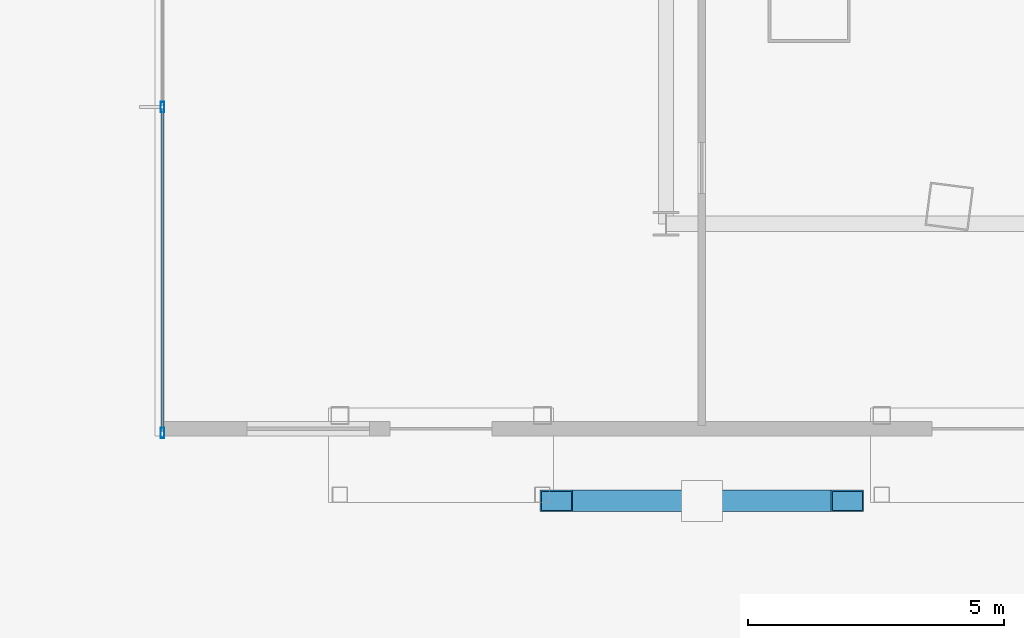
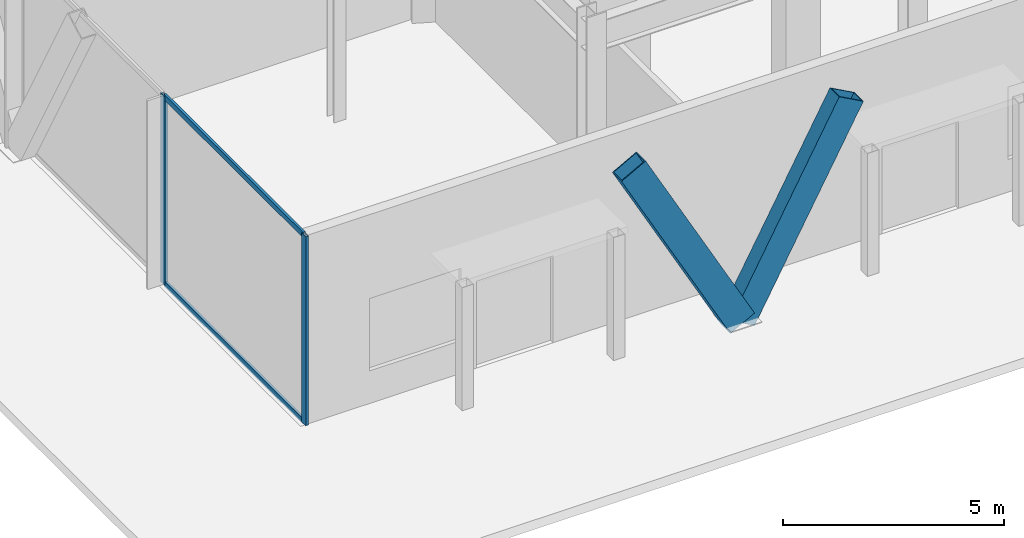
# One storey, part 5 of 38: 6 members, 1 element without a shape of its own.
"""IFC4 building model written with IfcOpenShell, lengths in metres."""

from ifc_helpers import new_model, si_unit, direction, frame, origin, origin_2d, place, context, subcontext, project, spatial, hollow_rectangle, extrude, material, layer, layer_set, material_profile, profile_set, type_object, element, aggregate, save


model = new_model("IFC4")

# Units and contexts
model_context = context("Model", 3, precision=1e-05, world=origin(), true_north=direction((0.0, 1.0)))
body_context = subcontext(model_context, "Body", "Model", "MODEL_VIEW")
ifc_project = project(units=[si_unit("LENGTHUNIT", "METRE"), si_unit("AREAUNIT", "SQUARE_METRE"), si_unit("VOLUMEUNIT", "CUBIC_METRE"), si_unit("PLANEANGLEUNIT", "RADIAN"), si_unit("MASSUNIT", "GRAM", prefix="KILO")], contexts=[model_context])

# Site, building, storey
site_placement = place(None, origin())
site = spatial("IfcSite", under=ifc_project, at=site_placement, CompositionType="ELEMENT")
building_placement = place(site_placement, origin())
building = spatial("IfcBuilding", under=site, at=building_placement, Name="Orvanel Arch Residences", CompositionType="ELEMENT")
storey_placement = place(building_placement, origin())
storey = spatial("IfcBuildingStorey", under=building, at=storey_placement, Name="L00", CompositionType="ELEMENT", Elevation=0.0)

# Members
ifc_material_1 = material(Name="Structural steel AS/NZS 3678 Grade 350", Category="steel")
ifc_material_profile_1 = material_profile(ifc_material_1, hollow_rectangle(XDim=0.419921875, YDim=0.719970703125, WallThickness=0.02490234375, at=origin_2d()), Name="RHS720x420x25")
ifc_profile_set_1 = profile_set([ifc_material_profile_1], Name="Structural steel AS/NZS 3678 Grade 350")
member_type_1 = type_object("IfcMemberType", Name="BR-720RHS-EXT", PredefinedType="BRACE", material=ifc_profile_set_1)
member_1_placement = place(storey_placement, frame((12.10009765625, 0.580078125, 0.0), z_axis=(-0.480132810148, 0.0, 0.877195807457), x_axis=(0.0, -1.0, 0.0)))
element("IfcMember", 1, at=member_1_placement, inside=storey, type_object=member_type_1, Name="L00 Podium Multi-Storey V-Strut Pair SW Leg 1", PredefinedType="BRACE", context=body_context, shape_type="SweptSolid", body=[
    extrude(hollow_rectangle(XDim=0.419921875, YDim=0.719970703125, WallThickness=0.02490234375, at=origin_2d()), origin(), (0.0, 0.0, 1.0), 5.927978515625),
])
member_2_placement = place(storey_placement, frame((12.10009765625, 0.580078125, 0.0), z_axis=(0.48010111861, 0.0, 0.877213153065), x_axis=(0.0, 1.0, 0.0)))
element("IfcMember", 2, at=member_2_placement, inside=storey, type_object=member_type_1, Name="L00 Podium Multi-Storey V-Strut Pair SW Leg 2", PredefinedType="BRACE", context=body_context, shape_type="SweptSolid", body=[
    extrude(hollow_rectangle(XDim=0.419921875, YDim=0.719970703125, WallThickness=0.02490234375, at=origin_2d()), origin(), (0.0, 0.0, 1.0), 5.927734375),
])

# Curtain wall, members
ifc_material_2 = material(Name="Bronze-anodised aluminium AA6063-T6", Category="aluminium")
ifc_layer = layer(ifc_material_2, 0.199951171875)
ifc_layer_set = layer_set([ifc_layer], Name="Bronze-anodised aluminium AA6063-T6")
curtain_wall_type = type_object("IfcCurtainWallType", Name="CW1-POD-SYS", PredefinedType="NOTDEFINED", material=ifc_layer_set)
curtain_wall_placement = place(storey_placement, origin())
curtain_wall = element("IfcCurtainWall", 3, at=curtain_wall_placement, inside=storey, type_object=curtain_wall_type, Name="L00 CW1-POD-SYS Unitised Curtain Wall", PredefinedType="NOTDEFINED")
ifc_material_profile_2 = material_profile(ifc_material_2, hollow_rectangle(XDim=0.074951171875, YDim=0.199951171875, WallThickness=0.0048828125, at=origin_2d()), Name="ALU200x75x5")
ifc_profile_set_2 = profile_set([ifc_material_profile_2], Name="Bronze-anodised aluminium AA6063-T6")
member_type_2 = type_object("IfcMemberType", Name="MUL-200x75", PredefinedType="MULLION", material=ifc_profile_set_2)
member_3_placement = place(storey_placement, frame((1.550048828125, 8.28369140625, 0.0), z_axis=(0.0, 0.0, 1.0), x_axis=(1.0, 0.0, 0.0)))
member_3 = element("IfcMember", 4, at=member_3_placement, type_object=member_type_2, Name="CW-S1 mullion 8", PredefinedType="MULLION", context=body_context, shape_type="SweptSolid", body=[
    extrude(hollow_rectangle(XDim=0.074951171875, YDim=0.199951171875, WallThickness=0.0048828125, at=origin_2d()), origin(), (0.0, 0.0, 1.0), 5.219970703125),
])
member_4_placement = place(storey_placement, frame((1.550048828125, 1.907470703125, 0.0), z_axis=(0.0, 0.0, 1.0), x_axis=(1.0, 0.0, 0.0)))
member_4 = element("IfcMember", 5, at=member_4_placement, type_object=member_type_2, Name="CW-S1 mullion 9", PredefinedType="MULLION", context=body_context, shape_type="SweptSolid", body=[
    extrude(hollow_rectangle(XDim=0.074951171875, YDim=0.199951171875, WallThickness=0.0048828125, at=origin_2d()), origin(), (0.0, 0.0, 1.0), 5.219970703125),
])
ifc_material_profile_3 = material_profile(ifc_material_2, hollow_rectangle(XDim=0.06494140625, YDim=0.14990234375, WallThickness=0.00390625, at=origin_2d()), Name="ALU150x65x4")
ifc_profile_set_3 = profile_set([ifc_material_profile_3], Name="Bronze-anodised aluminium AA6063-T6")
member_type_3 = type_object("IfcMemberType", Name="TRN-150x65", PredefinedType="USERDEFINED", material=ifc_profile_set_3)
member_5_placement = place(storey_placement, frame((1.550048828125, 8.246337890625, 0.032470703125), z_axis=(0.0, -1.0, 0.0), x_axis=(1.0, 0.0, 0.0)))
member_5 = element("IfcMember", 6, at=member_5_placement, type_object=member_type_3, Name="CW-S1 transom 8.1", ObjectType="TRANSOM", PredefinedType="USERDEFINED", context=body_context, shape_type="SweptSolid", body=[
    extrude(hollow_rectangle(XDim=0.06494140625, YDim=0.14990234375, WallThickness=0.00390625, at=origin_2d()), origin(), (0.0, 0.0, 1.0), 6.30126953125),
])
member_6_placement = place(storey_placement, frame((1.550048828125, 8.246337890625, 5.1875), z_axis=(0.0, -1.0, 0.0), x_axis=(1.0, 0.0, 0.0)))
member_6 = element("IfcMember", 7, at=member_6_placement, type_object=member_type_3, Name="CW-S1 transom 8.2", ObjectType="TRANSOM", PredefinedType="USERDEFINED", context=body_context, shape_type="SweptSolid", body=[
    extrude(hollow_rectangle(XDim=0.06494140625, YDim=0.14990234375, WallThickness=0.00390625, at=origin_2d()), origin(), (0.0, 0.0, 1.0), 6.30126953125),
])
aggregate(curtain_wall, [member_3, member_4, member_5, member_6])

save(model, "model.ifc")
